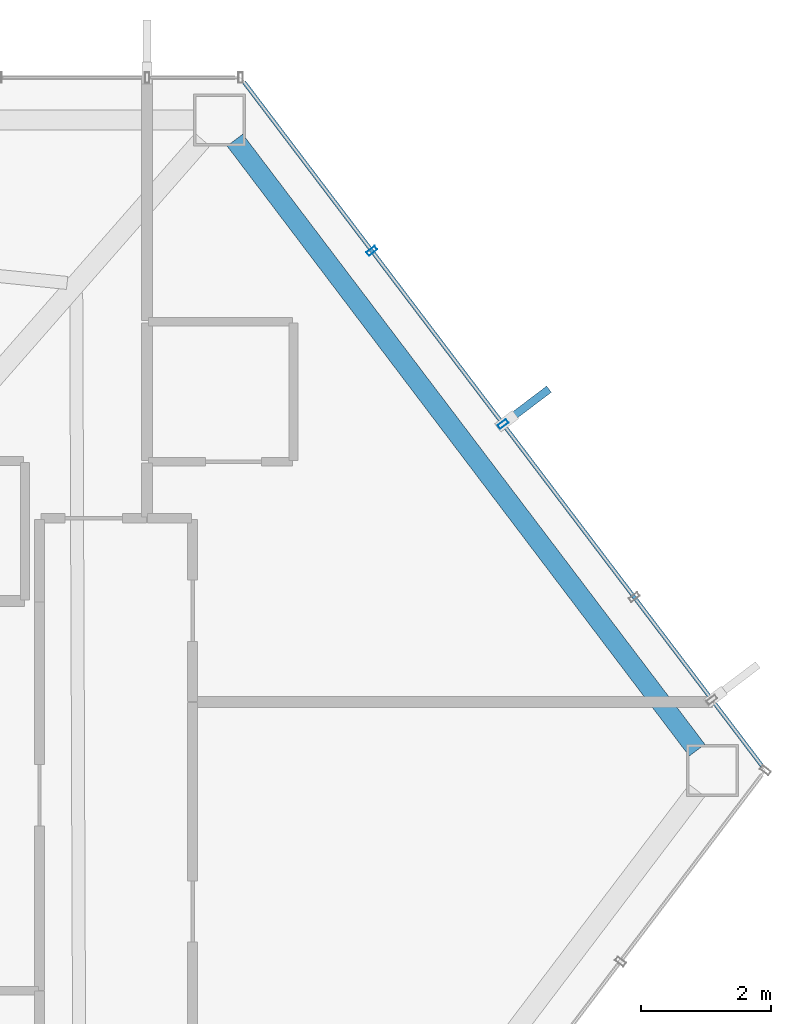
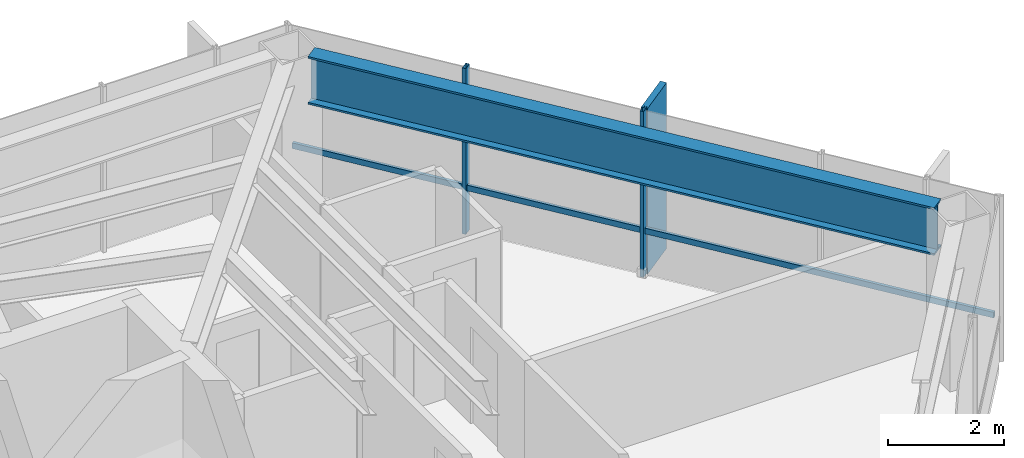
# One storey, part 23 of 28: 4 members, 1 beam, 1 element without a shape of its own.
"""IFC4 building model written with IfcOpenShell, lengths in metres."""

from ifc_helpers import new_model, si_unit, direction, frame, origin, origin_2d, place, context, subcontext, project, spatial, rectangle, hollow_rectangle, i_section, extrude, material, layer, layer_set, material_profile, profile_set, type_object, element, aggregate, save


model = new_model("IFC4")

# Units and contexts
model_context = context("Model", 3, precision=1e-05, world=origin(), true_north=direction((0.0, 1.0)))
body_context = subcontext(model_context, "Body", "Model", "MODEL_VIEW")
ifc_project = project(units=[si_unit("LENGTHUNIT", "METRE"), si_unit("AREAUNIT", "SQUARE_METRE"), si_unit("VOLUMEUNIT", "CUBIC_METRE"), si_unit("PLANEANGLEUNIT", "RADIAN"), si_unit("MASSUNIT", "GRAM", prefix="KILO")], contexts=[model_context])

# Site, building, storey
site_placement = place(None, origin())
site = spatial("IfcSite", under=ifc_project, at=site_placement, CompositionType="ELEMENT")
building_placement = place(site_placement, origin())
building = spatial("IfcBuilding", under=site, at=building_placement, Name="Zarrinselat Tower", CompositionType="ELEMENT")
storey_placement = place(building_placement, frame((0.0, 0.0, 127.159912109375)))
storey = spatial("IfcBuildingStorey", under=building, at=storey_placement, Name="L30", CompositionType="ELEMENT", Elevation=127.159912109375)

# Beam
ifc_material_1 = material(Name="Steel S460M", Category="steel")
ifc_material_profile_1 = material_profile(ifc_material_1, i_section(OverallWidth=0.302001953125, OverallDepth=1.008056640625, WebThickness=0.02099609375, FlangeThickness=0.0400390625, at=origin_2d()), Name="HEM 1000")
ifc_profile_set_1 = profile_set([ifc_material_profile_1], Name="Steel S460M")
beam_type = type_object("IfcBeamType", Name="BM-HEM1000", PredefinedType="BEAM", material=ifc_profile_set_1)
beam_placement = place(storey_placement, frame((54.64892578125, 48.307373046875, 2.99609375), z_axis=(0.603854888535, -0.79709426895, 0.0), x_axis=(0.79709426895, 0.603854888535, 0.0)))
element("IfcBeam", 1, at=beam_placement, inside=storey, type_object=beam_type, Name="L30 Perimeter Spandrel Girder SP15", PredefinedType="BEAM", context=body_context, shape_type="SweptSolid", body=[
    extrude(i_section(OverallWidth=0.302001953125, OverallDepth=1.008056640625, WebThickness=0.02099609375, FlangeThickness=0.0400390625, at=origin_2d()), origin(), (0.0, 0.0, 1.0), 11.75341796875),
])

# Curtain wall, members
ifc_material_2 = material(Name="Extruded Aluminium Alloy EN AW-6063 T6", Category="aluminium")
ifc_layer = layer(ifc_material_2, 0.175048828125)
ifc_layer_set = layer_set([ifc_layer], Name="Extruded Aluminium Alloy EN AW-6063 T6")
curtain_wall_type = type_object("IfcCurtainWallType", Name="CWS-HTL", PredefinedType="NOTDEFINED", material=ifc_layer_set)
curtain_wall_placement = place(storey_placement, origin())
curtain_wall = element("IfcCurtainWall", 2, at=curtain_wall_placement, inside=storey, type_object=curtain_wall_type, Name="L30 Unitised Curtain Wall CW-L30-E06", PredefinedType="NOTDEFINED")
ifc_material_3 = material(Name="Extruded Aluminium Alloy EN AW-6063 T6", Category="aluminium")
ifc_material_profile_2 = material_profile(ifc_material_3, hollow_rectangle(XDim=0.070068359375, YDim=0.159912109375, WallThickness=0.00390625, at=origin_2d()), Name="RHS 160x70x4")
ifc_profile_set_2 = profile_set([ifc_material_profile_2], Name="Extruded Aluminium Alloy EN AW-6063 T6")
member_type_1 = type_object("IfcMemberType", Name="MEM-CW-MUL2", PredefinedType="MULLION", material=ifc_profile_set_2)
member_1_placement = place(storey_placement, frame((58.766845703125, 43.947998046875, 0.0), z_axis=(0.0, 0.0, 1.0), x_axis=(-0.603858409354, 0.79709160167, 0.0)))
member_1 = element("IfcMember", 3, at=member_1_placement, type_object=member_type_1, Name="CW-L30-E06 Mullion 3", PredefinedType="MULLION", context=body_context, shape_type="SweptSolid", body=[
    extrude(hollow_rectangle(XDim=0.070068359375, YDim=0.159912109375, WallThickness=0.00390625, at=origin_2d()), origin(), (0.0, 0.0, 1.0), 3.5),
])
member_2_placement = place(storey_placement, frame((56.752197265625, 46.607421875, 0.0), z_axis=(0.0, 0.0, 1.0), x_axis=(-0.603858409354, 0.79709160167, 0.0)))
member_2 = element("IfcMember", 4, at=member_2_placement, type_object=member_type_1, Name="CW-L30-E06 Mullion 4", PredefinedType="MULLION", context=body_context, shape_type="SweptSolid", body=[
    extrude(hollow_rectangle(XDim=0.070068359375, YDim=0.159912109375, WallThickness=0.00390625, at=origin_2d()), origin(), (0.0, 0.0, 1.0), 3.5),
])
ifc_material_4 = material(Name="Extruded Aluminium Alloy EN AW-6063 T6", Category="aluminium")
ifc_material_profile_3 = material_profile(ifc_material_4, hollow_rectangle(XDim=0.06005859375, YDim=0.1201171875, WallThickness=0.00390625, at=origin_2d()), Name="RHS 120x60x4")
ifc_profile_set_3 = profile_set([ifc_material_profile_3], Name="Extruded Aluminium Alloy EN AW-6063 T6")
member_type_2 = type_object("IfcMemberType", Name="MEM-CW-TRN2", PredefinedType="USERDEFINED", material=ifc_profile_set_3)
member_3_placement = place(storey_placement, frame((62.74169921875, 38.701171875, 0.9501953125), z_axis=(-0.603847333729, 0.797099992189, 0.0), x_axis=(-0.797099992189, -0.603847333729, 0.0)))
member_3 = element("IfcMember", 5, at=member_3_placement, type_object=member_type_2, Name="CW-L30-E06 Transom 1", ObjectType="TRANSOM", PredefinedType="USERDEFINED", context=body_context, shape_type="SweptSolid", body=[
    extrude(hollow_rectangle(XDim=0.06005859375, YDim=0.1201171875, WallThickness=0.00390625, at=origin_2d()), origin(), (0.0, 0.0, 1.0), 13.1650390625),
])
ifc_material_5 = material(Name="Honed Cream Travertine Stone", Category="masonry")
ifc_material_profile_4 = material_profile(ifc_material_5, rectangle(XDim=0.1201171875, YDim=0.85009765625, at=origin_2d()), Name="FIN 850x120")
ifc_profile_set_4 = profile_set([ifc_material_profile_4], Name="Honed Cream Travertine Stone")
member_type_3 = type_object("IfcMemberType", Name="MEM-STONE-FIN", PredefinedType="USERDEFINED", material=ifc_profile_set_4)
member_4_placement = place(storey_placement, frame((59.133544921875, 44.225830078125, 0.0), z_axis=(0.0, 0.0, 1.0), x_axis=(0.603858409354, -0.79709160167, 0.0)))
member_4 = element("IfcMember", 6, at=member_4_placement, type_object=member_type_3, Name="L30 Stone Shading Fin CW-L30-E06-03", ObjectType="FIN", PredefinedType="USERDEFINED", context=body_context, shape_type="SweptSolid", body=[
    extrude(rectangle(XDim=0.1201171875, YDim=0.85009765625, at=origin_2d()), origin(), (0.0, 0.0, 1.0), 3.5),
])
aggregate(curtain_wall, [member_1, member_4, member_2, member_3])

save(model, "model.ifc")
